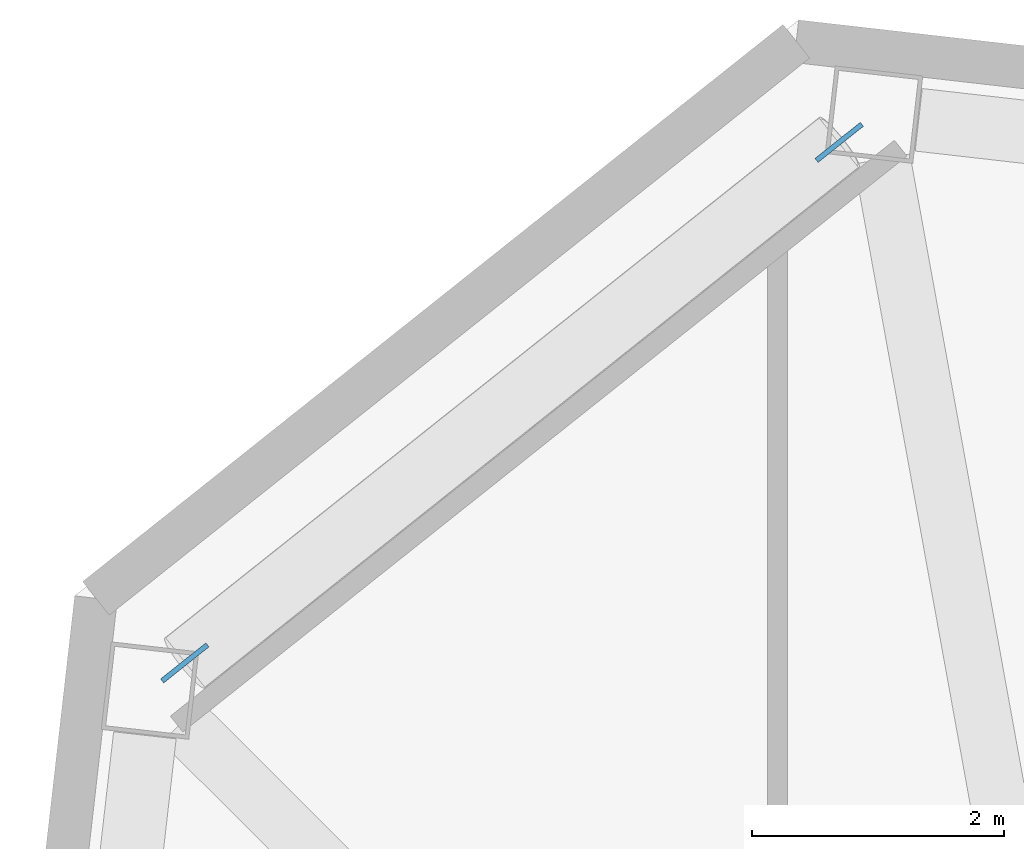
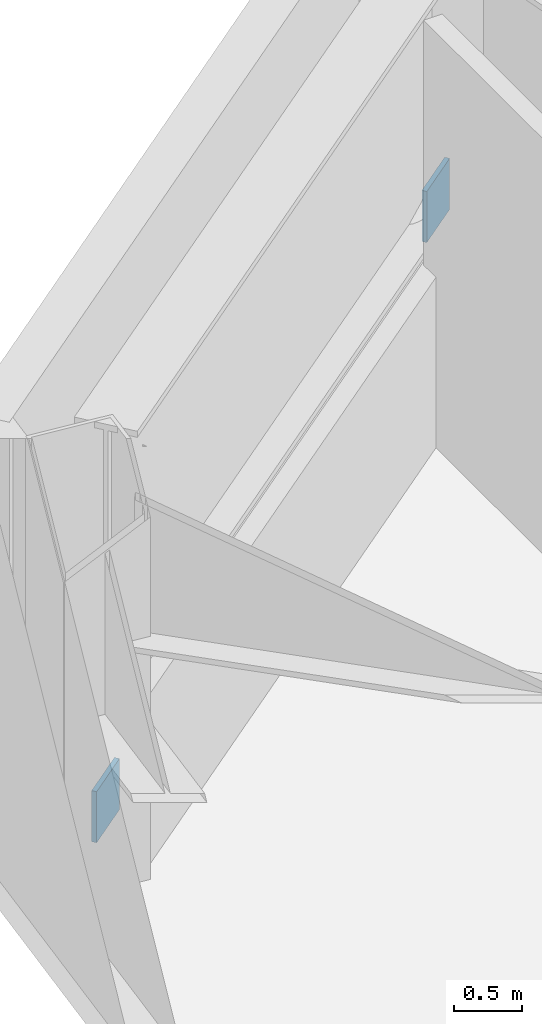
# One storey, part 17 of 21: 2 discrete accessories.
"""IFC4 building model written with IfcOpenShell, lengths in metres."""

from ifc_helpers import new_model, si_unit, direction, frame, origin, origin_2d, place, context, subcontext, project, spatial, rectangle, extrude, material, type_object, element, save


model = new_model("IFC4")

# Units and contexts
model_context = context("Model", 3, precision=1e-05, world=origin(), true_north=direction((0.0, 1.0)))
body_context = subcontext(model_context, "Body", "Model", "MODEL_VIEW")
ifc_project = project(units=[si_unit("LENGTHUNIT", "METRE"), si_unit("AREAUNIT", "SQUARE_METRE"), si_unit("VOLUMEUNIT", "CUBIC_METRE"), si_unit("PLANEANGLEUNIT", "RADIAN"), si_unit("MASSUNIT", "GRAM", prefix="KILO")], contexts=[model_context])

# Site, building, storey
site_placement = place(None, origin())
site = spatial("IfcSite", under=ifc_project, at=site_placement, CompositionType="ELEMENT")
building_placement = place(site_placement, origin())
building = spatial("IfcBuilding", under=site, at=building_placement, Name="Tavrogorsk Clinical Tower", CompositionType="ELEMENT")
storey_placement = place(building_placement, frame((0.0, 0.0, 89.39990234375)))
storey = spatial("IfcBuildingStorey", under=building, at=storey_placement, Name="L19", CompositionType="ELEMENT", Elevation=89.39990234375)

# Discrete accessories
ifc_material = material(Name="Structural steel S440", Category="steel")
discrete_accessory_type = type_object("IfcDiscreteAccessoryType", Name="GussetPlateBracket_25", PredefinedType="BRACKET", material=ifc_material)
for number, where, z_axis, x_axis, name in (
    (1, (-32.26171875, 21.443115234375, 0.127197265625), (0.0, 0.0, 1.0), (0.782608156852, 0.622514636638, 0.0), "L19 Brace Gusset Plate EXOCRN-L19-3-A"),
    (2, (-27.0595703125, 25.5810546875, 1.202880859375), (0.0, 0.0, 1.0), (0.782608156852, 0.622514636638, 0.0), "L19 Brace Gusset Plate EXOCRN-L19-3-B"),
):
    element("IfcDiscreteAccessory", number, at=place(storey_placement, frame(where, z_axis=z_axis, x_axis=x_axis)), inside=storey, type_object=discrete_accessory_type, Name=name, PredefinedType="BRACKET", context=body_context, shape_type="SweptSolid", body=[
        extrude(rectangle(XDim=0.4599609375, YDim=0.0400390625, at=origin_2d()), origin(), (0.0, 0.0, 1.0), 0.4599609375),
    ])

save(model, "model.ifc")
